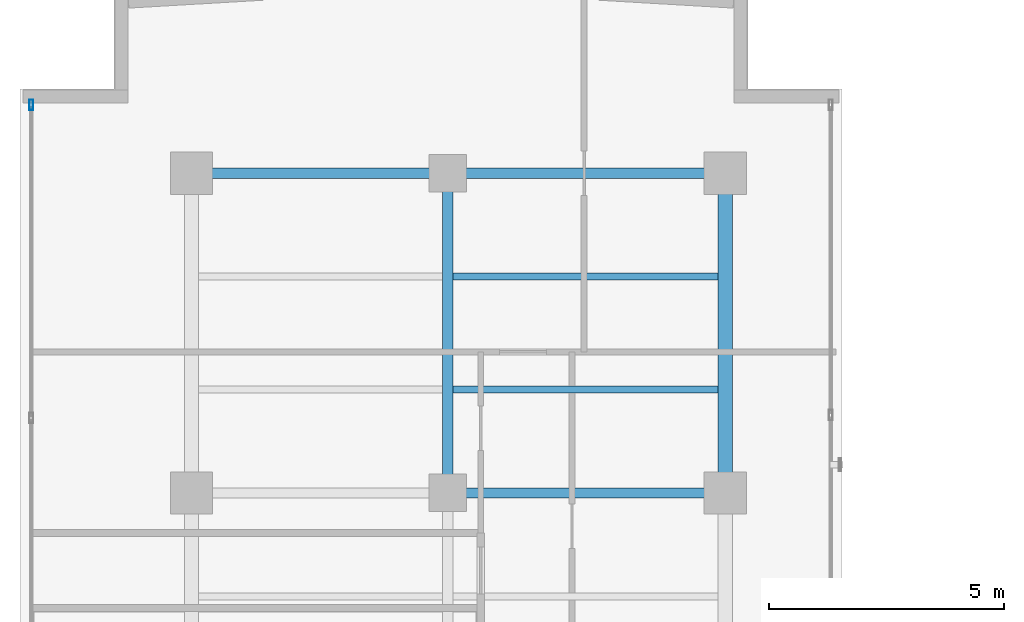
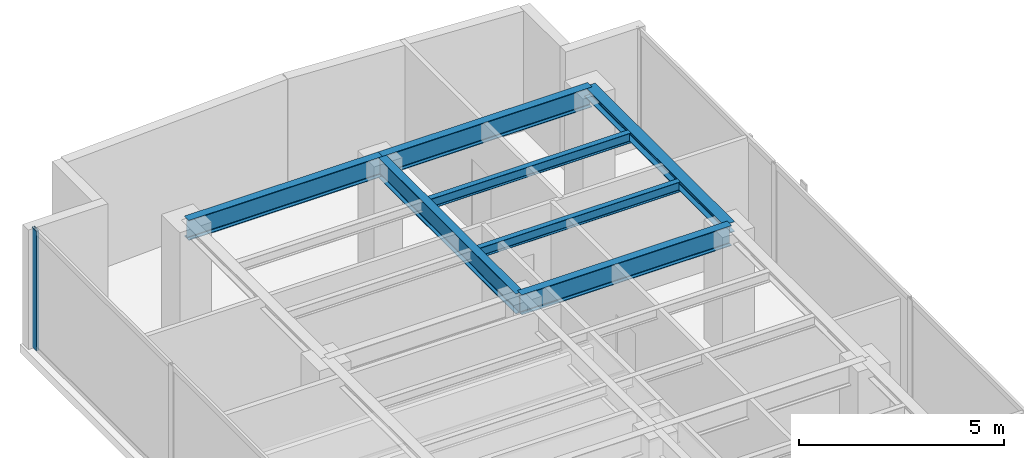
# One storey, part 13 of 23: 7 beams, 1 member, 1 element without a shape of its own.
"""IFC4 building model written with IfcOpenShell, lengths in metres."""

from ifc_helpers import new_model, si_unit, direction, frame, origin, origin_with_axes, origin_2d, place, context, subcontext, project, spatial, hollow_rectangle, i_section, extrude, source, transform, mapped, material, layer, layer_set, material_profile, profile_set, type_object, element, aggregate, save


model = new_model("IFC4")

# Units and contexts
model_context = context("Model", 3, precision=1e-05, world=origin(), true_north=direction((0.0, 1.0)))
body_context = subcontext(model_context, "Body", "Model", "MODEL_VIEW")
ifc_project = project(units=[si_unit("LENGTHUNIT", "METRE"), si_unit("AREAUNIT", "SQUARE_METRE"), si_unit("VOLUMEUNIT", "CUBIC_METRE"), si_unit("PLANEANGLEUNIT", "RADIAN"), si_unit("MASSUNIT", "GRAM", prefix="KILO")], contexts=[model_context])

# Site, building, storey
site_placement = place(None, origin())
site = spatial("IfcSite", under=ifc_project, at=site_placement, CompositionType="ELEMENT")
building_placement = place(site_placement, origin())
building = spatial("IfcBuilding", under=site, at=building_placement, Name="Kolvaren Waterfront Exchange", CompositionType="ELEMENT")
storey_placement = place(building_placement, frame((0.0, 0.0, 304.60009765625)))
storey = spatial("IfcBuildingStorey", under=building, at=storey_placement, Name="L78", CompositionType="ELEMENT", Elevation=304.60009765625)

# Beams
ifc_material_1 = material(Name="Steel S355", Category="steel")
ifc_material_profile_1 = material_profile(ifc_material_1, i_section(OverallWidth=0.300048828125, OverallDepth=0.300048828125, WebThickness=0.010986328125, FlangeThickness=0.01904296875, FilletRadius=0.027099609375, at=origin_2d()), Name="HEB300")
ifc_profile_set_1 = profile_set([ifc_material_profile_1], Name="Steel S355")
beam_type_1 = type_object("IfcBeamType", Name="STR-BM-HEB300", PredefinedType="SPANDREL", material=ifc_profile_set_1)
beam_1_placement = place(storey_placement, frame((18.800048828125, 37.800048828125, 3.409912109375), z_axis=(0.0, 1.0, 0.0), x_axis=(-1.0, 0.0, 0.0)))
element("IfcBeam", 1, at=beam_1_placement, inside=storey, type_object=beam_type_1, Name="L78 north-arm edge beam 3", PredefinedType="SPANDREL", context=body_context, shape_type="SweptSolid", body=[
    extrude(i_section(OverallWidth=0.300048828125, OverallDepth=0.300048828125, WebThickness=0.010986328125, FlangeThickness=0.01904296875, FilletRadius=0.027099609375, at=origin_2d()), origin(), (0.0, 0.0, 1.0), 6.800048828125),
])
ifc_material_profile_2 = material_profile(ifc_material_1, i_section(OverallWidth=0.14990234375, OverallDepth=0.300048828125, WebThickness=0.007080078125, FlangeThickness=0.0107421875, FilletRadius=0.014892578125, at=origin_2d()), Name="IPE300")
ifc_profile_set_2 = profile_set([ifc_material_profile_2], Name="Steel S355")
beam_type_2 = type_object("IfcBeamType", Name="STR-BM-IPE300", PredefinedType="JOIST", material=ifc_profile_set_2)
for number, where, z_axis, x_axis, name in (
    (2, (13.011962890625, 40.0, 3.409912109375), (1.0, 0.0, 0.0), (0.0, 1.0, 0.0), "L78 north-arm composite joist 5B"),
    (3, (13.011962890625, 42.39990234375, 3.409912109375), (1.0, 0.0, 0.0), (0.0, 1.0, 0.0), "L78 north-arm composite joist 6B"),
):
    element("IfcBeam", number, at=place(storey_placement, frame(where, z_axis=z_axis, x_axis=x_axis)), inside=storey, type_object=beam_type_2, Name=name, PredefinedType="JOIST", context=body_context, shape_type="SweptSolid", body=[
        extrude(i_section(OverallWidth=0.14990234375, OverallDepth=0.300048828125, WebThickness=0.007080078125, FlangeThickness=0.0107421875, FilletRadius=0.014892578125, at=origin_2d()), origin(), (0.0, 0.0, 1.0), 5.635986328125),
    ])
ifc_material_profile_3 = material_profile(ifc_material_1, i_section(OverallWidth=0.219970703125, OverallDepth=0.60009765625, WebThickness=0.011962890625, FlangeThickness=0.01904296875, FilletRadius=0.02392578125, at=origin_2d()), Name="IPE600")
ifc_profile_set_3 = profile_set([ifc_material_profile_3], Name="Steel S355")
beam_type_3 = type_object("IfcBeamType", Name="STR-BM-IPE600", PredefinedType="BEAM", material=ifc_profile_set_3)
beam_2_placement = place(storey_placement, frame((12.89990234375, 37.800048828125, 3.260009765625), z_axis=(1.0, 0.0, 0.0), x_axis=(0.0, 1.0, 0.0)))
element("IfcBeam", 4, at=beam_2_placement, inside=storey, type_object=beam_type_3, Name="L78 north-arm girder 3B", PredefinedType="BEAM", context=body_context, shape_type="SweptSolid", body=[
    extrude(i_section(OverallWidth=0.219970703125, OverallDepth=0.60009765625, WebThickness=0.011962890625, FlangeThickness=0.01904296875, FilletRadius=0.02392578125, at=origin_2d()), origin(), (0.0, 0.0, 1.0), 5.900146484375),
])
beam_3_placement = place(storey_placement, frame((7.449951171875, 44.60009765625, 3.260009765625), z_axis=(1.0, 0.0, 0.0), x_axis=(0.0, 1.0, 0.0)))
element("IfcBeam", 5, at=beam_3_placement, inside=storey, type_object=beam_type_3, Name="L78 north-arm girder 4A", PredefinedType="BEAM", context=body_context, shape_type="SweptSolid", body=[
    extrude(i_section(OverallWidth=0.219970703125, OverallDepth=0.60009765625, WebThickness=0.011962890625, FlangeThickness=0.01904296875, FilletRadius=0.02392578125, at=origin_2d()), origin(), (0.0, 0.0, 1.0), 5.449951171875),
])
beam_4_placement = place(storey_placement, frame((12.89990234375, 44.60009765625, 3.260009765625), z_axis=(1.0, 0.0, 0.0), x_axis=(0.0, 1.0, 0.0)))
element("IfcBeam", 6, at=beam_4_placement, inside=storey, type_object=beam_type_3, Name="L78 north-arm girder 4B", PredefinedType="BEAM", context=body_context, shape_type="SweptSolid", body=[
    extrude(i_section(OverallWidth=0.219970703125, OverallDepth=0.60009765625, WebThickness=0.011962890625, FlangeThickness=0.01904296875, FilletRadius=0.02392578125, at=origin_2d()), origin(), (0.0, 0.0, 1.0), 5.900146484375),
])
beam_5_placement = place(storey_placement, frame((12.89990234375, 37.800048828125, 3.260009765625), z_axis=(0.0, 1.0, 0.0), x_axis=(-1.0, 0.0, 0.0)))
element("IfcBeam", 7, at=beam_5_placement, inside=storey, type_object=beam_type_3, Name="L78 north-arm edge beam 3", PredefinedType="BEAM", context=body_context, shape_type="SweptSolid", body=[
    extrude(i_section(OverallWidth=0.219970703125, OverallDepth=0.60009765625, WebThickness=0.011962890625, FlangeThickness=0.01904296875, FilletRadius=0.02392578125, at=origin_2d()), origin(), (0.0, 0.0, 1.0), 6.800048828125),
])

# Curtain wall, member
ifc_material_2 = material(Name="Anodised aluminium 6063-T6", Category="aluminium")
ifc_layer = layer(ifc_material_2, 0.219970703125, Name="Anodised aluminium 6063-T6")
ifc_layer_set = layer_set([ifc_layer], Name="Anodised aluminium 6063-T6")
curtain_wall_type = type_object("IfcCurtainWallType", Name="ARC-CW-SYS2", PredefinedType="USERDEFINED", material=ifc_layer_set)
curtain_wall_placement = place(storey_placement, origin())
curtain_wall = element("IfcCurtainWall", 8, at=curtain_wall_placement, inside=storey, type_object=curtain_wall_type, Name="L78 stick curtain wall CW2 (CW-L78-W)", ObjectType="STICK CURTAIN WALL", PredefinedType="USERDEFINED")
ifc_material_profile_4 = material_profile(ifc_material_2, hollow_rectangle(XDim=0.080078125, YDim=0.219970703125, WallThickness=0.0048828125, at=origin_2d()), Name="ALU-MUL-220x80x5")
ifc_profile_set_4 = profile_set([ifc_material_profile_4], Name="Anodised aluminium 6063-T6")
member_type = type_object("IfcMemberType", Name="ARC-CWM-220", PredefinedType="MULLION", material=ifc_profile_set_4)
shared_shape = source(origin_with_axes(), body_context, "Body", "SweptSolid", [
    extrude(hollow_rectangle(XDim=0.080078125, YDim=0.219970703125, WallThickness=0.0048828125, at=origin_2d()), origin(), (0.0, 0.0, 1.0), 3.559814453125),
])
member_placement = place(storey_placement, frame((4.0400390625, 46.0546875, 0.0), z_axis=(0.0, 0.0, 1.0), x_axis=(-1.0, 0.0, 0.0)))
member = element("IfcMember", 9, at=member_placement, type_object=member_type, Name="CW2 mullion 7", PredefinedType="MULLION", context=body_context, shape_type="MappedRepresentation", body=[
    mapped(shared_shape, transform((0.0, 0.0, 0.0), x_axis=(1.0, 0.0, 0.0), y_axis=(0.0, 1.0, 0.0), z_axis=(0.0, 0.0, 1.0), scale=1.0)),
])
aggregate(curtain_wall, [member])

save(model, "model.ifc")
